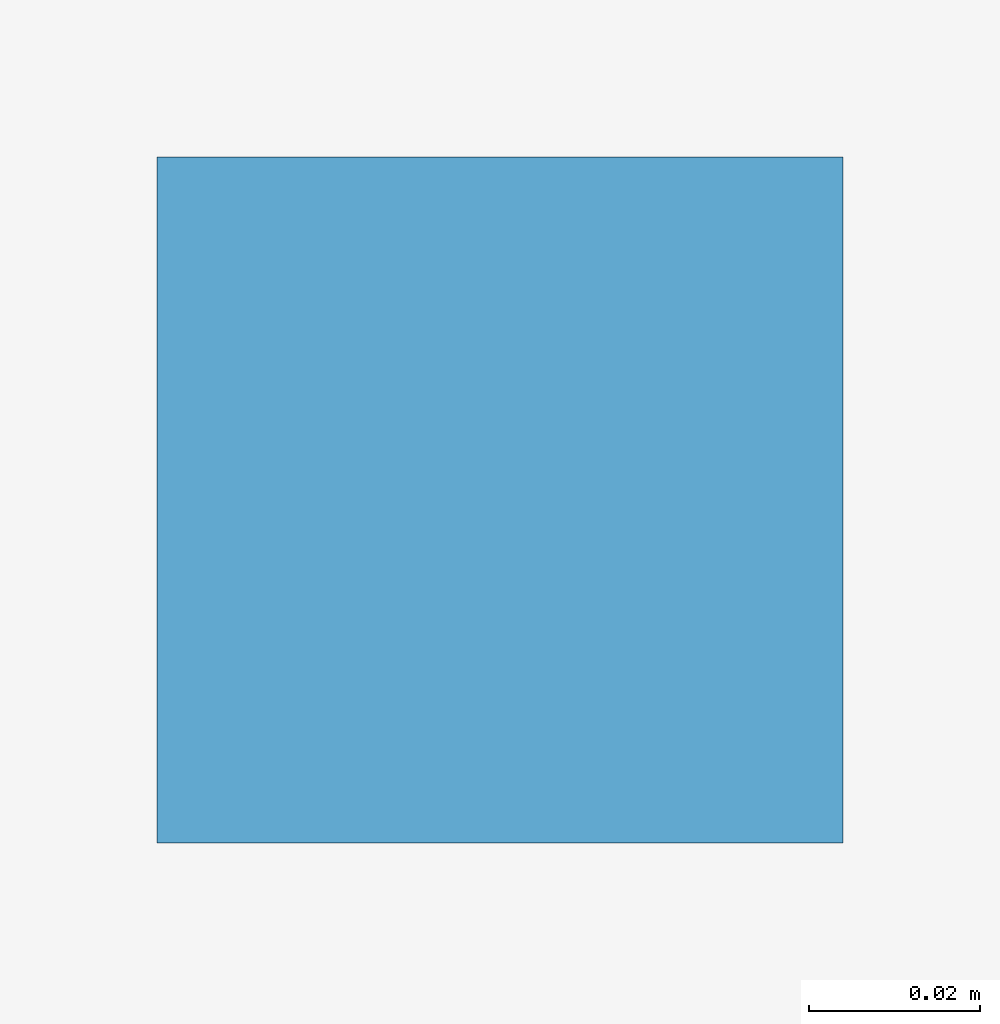
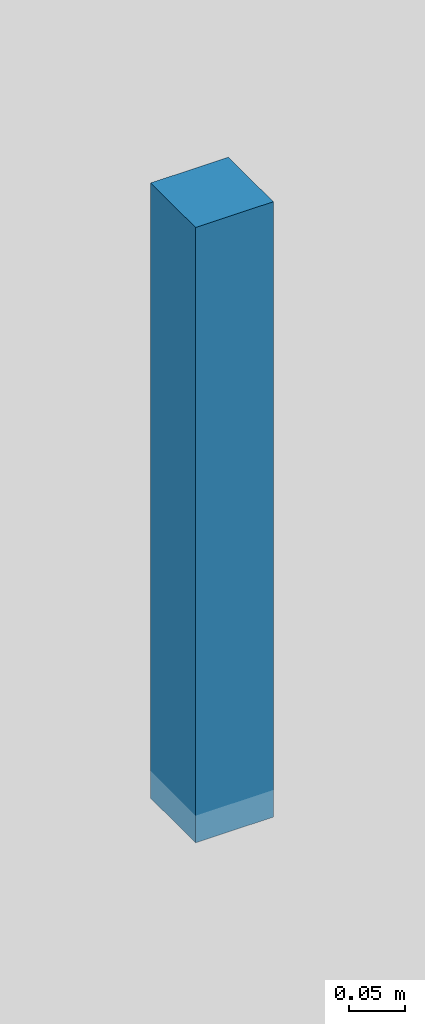
# One storey, part 12 of 17: 1 discrete accessory.
"""IFC4 building model written with IfcOpenShell, lengths in metres."""

from ifc_helpers import new_model, si_unit, direction, frame, origin, origin_2d, place, context, subcontext, project, spatial, rectangle, extrude, source, transform, mapped, material, type_object, element, save


model = new_model("IFC4")

# Units and contexts
model_context = context("Model", 3, precision=1e-05, world=origin(), true_north=direction((0.0, 1.0)))
body_context = subcontext(model_context, "Body", "Model", "MODEL_VIEW")
ifc_project = project(units=[si_unit("LENGTHUNIT", "METRE"), si_unit("AREAUNIT", "SQUARE_METRE"), si_unit("VOLUMEUNIT", "CUBIC_METRE"), si_unit("PLANEANGLEUNIT", "RADIAN"), si_unit("MASSUNIT", "GRAM", prefix="KILO")], contexts=[model_context])

# Site, building, storey
site_placement = place(None, origin())
site = spatial("IfcSite", under=ifc_project, at=site_placement, CompositionType="ELEMENT")
building_placement = place(site_placement, origin())
building = spatial("IfcBuilding", under=site, at=building_placement, Name="Giltprow Tower", CompositionType="ELEMENT")
storey_placement = place(building_placement, frame((0.0, 0.0, 202.699951171875)))
storey = spatial("IfcBuildingStorey", under=building, at=storey_placement, Name="L51", CompositionType="ELEMENT", Elevation=202.699951171875)

# Discrete accessory
ifc_material = material(Name="Structural steel Q355B", Category="steel")
discrete_accessory_type = type_object("IfcDiscreteAccessoryType", Name="ACC-CLG-HANGER", PredefinedType="BRACKET", material=ifc_material)
shared_shape = source(origin(), body_context, "Body", "SweptSolid", [
    extrude(rectangle(XDim=0.080078125, YDim=0.080078125, at=origin_2d()), origin(), (0.0, 0.0, 1.0), 0.669921875),
])
discrete_accessory_placement = place(storey_placement, frame((35.0, 35.675048828125, 2.6201171875), z_axis=(0.0, 0.0, 1.0), x_axis=(1.0, 0.0, 0.0)))
element("IfcDiscreteAccessory", 1, at=discrete_accessory_placement, inside=storey, type_object=discrete_accessory_type, Name="L51 Hotel Corridor Gypsum Ceiling Suspension Hanger", PredefinedType="BRACKET", context=body_context, shape_type="MappedRepresentation", body=[
    mapped(shared_shape, transform((0.0, 0.0, 0.0), x_axis=(1.0, 0.0, 0.0), y_axis=(0.0, 1.0, 0.0), z_axis=(0.0, 0.0, 1.0), scale=1.0)),
])

save(model, "model.ifc")
